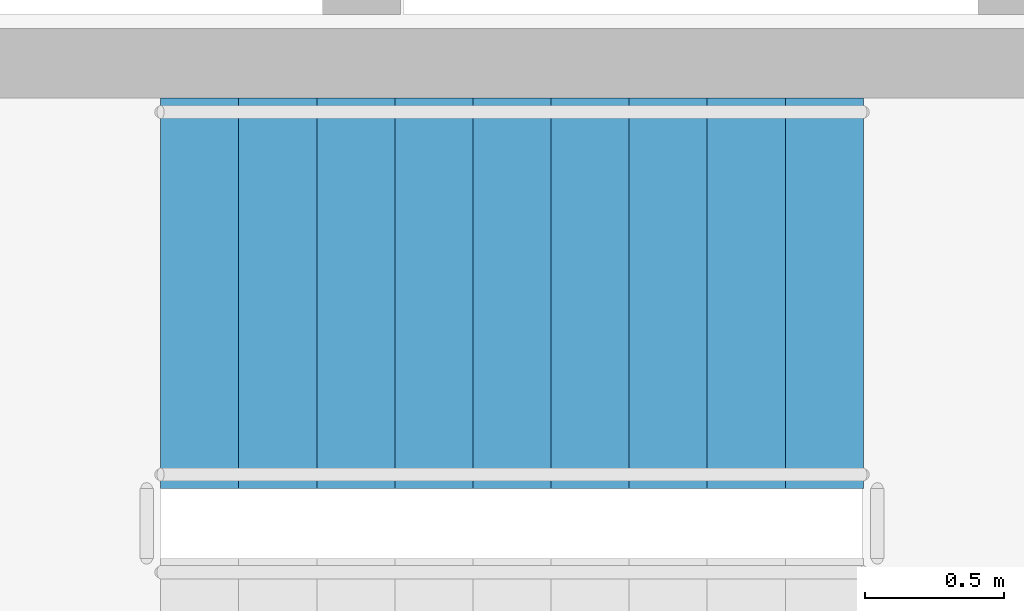
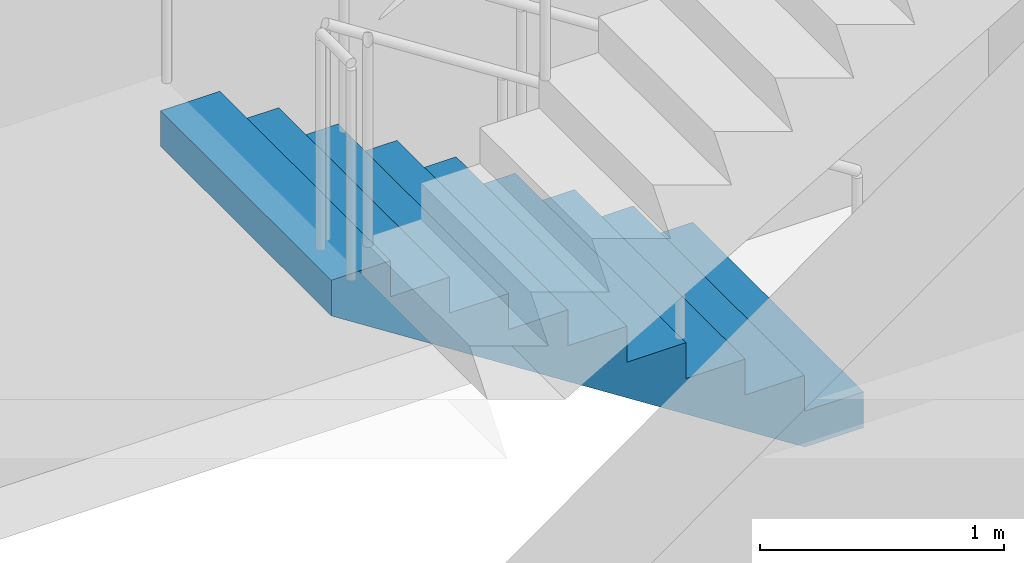
# One storey, part 22 of 25: 1 stair flight, 1 element without a shape of its own.
"""IFC4 building model written with IfcOpenShell, lengths in metres."""

from ifc_helpers import new_model, si_unit, direction, frame, origin, place, context, subcontext, project, spatial, polyline, outline, extrude, material, type_object, element, aggregate, save


model = new_model("IFC4")

# Units and contexts
model_context = context("Model", 3, precision=1e-05, world=origin(), true_north=direction((0.0, 1.0)))
body_context = subcontext(model_context, "Body", "Model", "MODEL_VIEW")
ifc_project = project(units=[si_unit("LENGTHUNIT", "METRE"), si_unit("AREAUNIT", "SQUARE_METRE"), si_unit("VOLUMEUNIT", "CUBIC_METRE"), si_unit("PLANEANGLEUNIT", "RADIAN"), si_unit("MASSUNIT", "GRAM", prefix="KILO")], contexts=[model_context])

# Site, building, storey
site_placement = place(None, origin())
site = spatial("IfcSite", under=ifc_project, at=site_placement, CompositionType="ELEMENT")
building_placement = place(site_placement, origin())
building = spatial("IfcBuilding", under=site, at=building_placement, Name="Solvirekh Grand Hotel", CompositionType="ELEMENT")
storey_placement = place(building_placement, frame((0.0, 0.0, 28.39990234375)))
storey = spatial("IfcBuildingStorey", under=building, at=storey_placement, Name="L05", CompositionType="ELEMENT", Elevation=28.39990234375)

# Stair, stair flight
ifc_material = material(Name="Concrete C40/50", Category="concrete")
stair_type = type_object("IfcStairType", Name="Stair_Core_1450", PredefinedType="HALF_TURN_STAIR", material=ifc_material)
stair_placement = place(storey_placement, origin())
stair = element("IfcStair", 1, at=stair_placement, inside=storey, type_object=stair_type, Name="L05 Enclosed exit stair ST-2", PredefinedType="HALF_TURN_STAIR")
stair_flight_type = type_object("IfcStairFlightType", Name="Flight_Core_1450", PredefinedType="STRAIGHT", material=ifc_material)
stair_flight_placement = place(storey_placement, frame((2.449951171875, 2.5, 0.0), z_axis=(0.0, 0.0, 1.0), x_axis=(-1.0, 0.0, 0.0)))
stair_flight = element("IfcStairFlight", 2, at=stair_flight_placement, type_object=stair_flight_type, Name="ST-2 flight 1", NumberOfRisers=10, NumberOfTreads=9, PredefinedType="STRAIGHT", RiserHeight=0.18, TreadLength=0.28, context=body_context, shape_type="SweptSolid", body=[
    extrude(outline(polyline([(0.0, 0.0), (0.0, 0.179931640625), (0.280029296875, 0.179931640625), (0.280029296875, 0.360107421875), (0.56005859375, 0.360107421875), (0.56005859375, 0.5400390625), (0.840087890625, 0.5400390625), (0.840087890625, 0.719970703125), (1.1201171875, 0.719970703125), (1.1201171875, 0.89990234375), (1.39990234375, 0.89990234375), (1.39990234375, 1.080078125), (1.679931640625, 1.080078125), (1.679931640625, 1.260009765625), (1.9599609375, 1.260009765625), (1.9599609375, 1.43994140625), (2.239990234375, 1.43994140625), (2.239990234375, 1.6201171875), (2.52001953125, 1.6201171875), (2.52001953125, 1.800048828125), (2.52001953125, 1.44189453125), (0.277099609375, 0.0), (0.0, 0.0)])), frame((0.0, 0.699951171875, 0.0), z_axis=(0.0, -1.0, 0.0), x_axis=(1.0, 0.0, 0.0)), (0.0, 0.0, 1.0), 1.39990234375),
])
aggregate(stair, [stair_flight])

save(model, "model.ifc")
